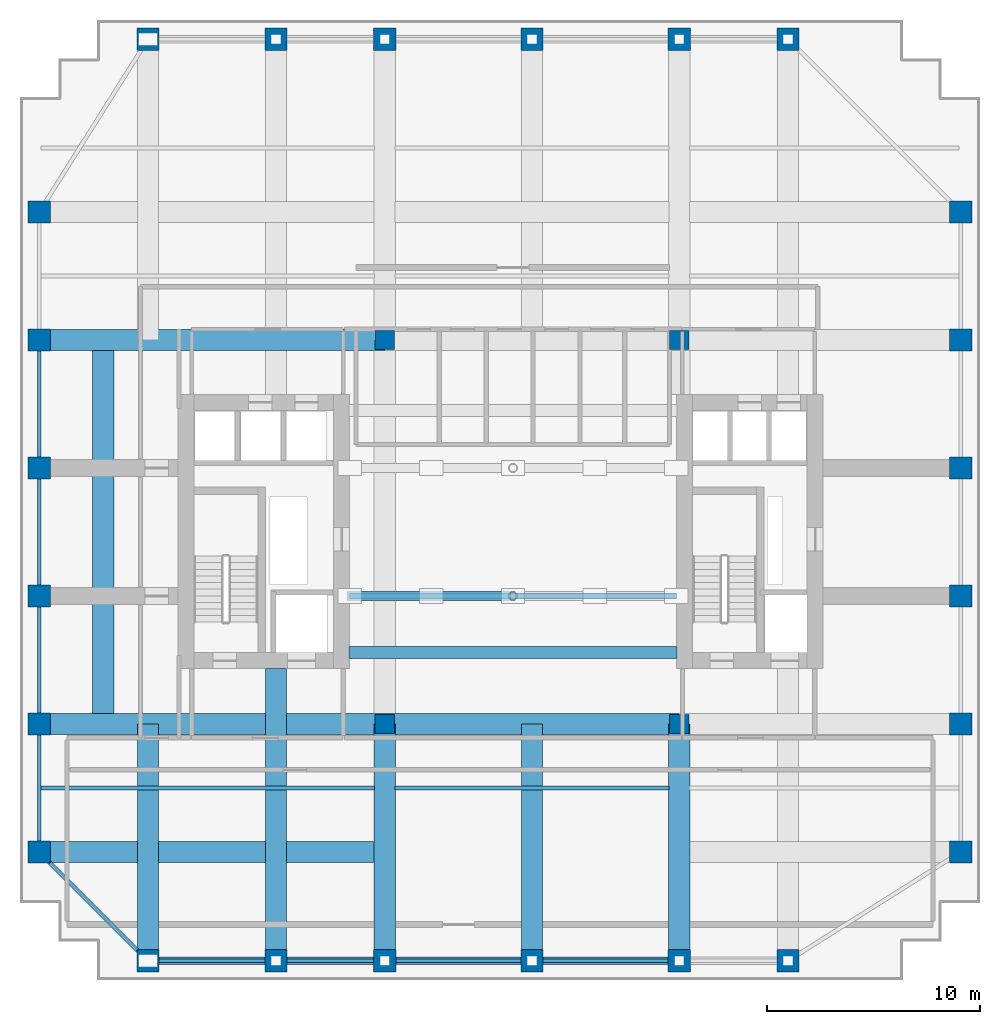
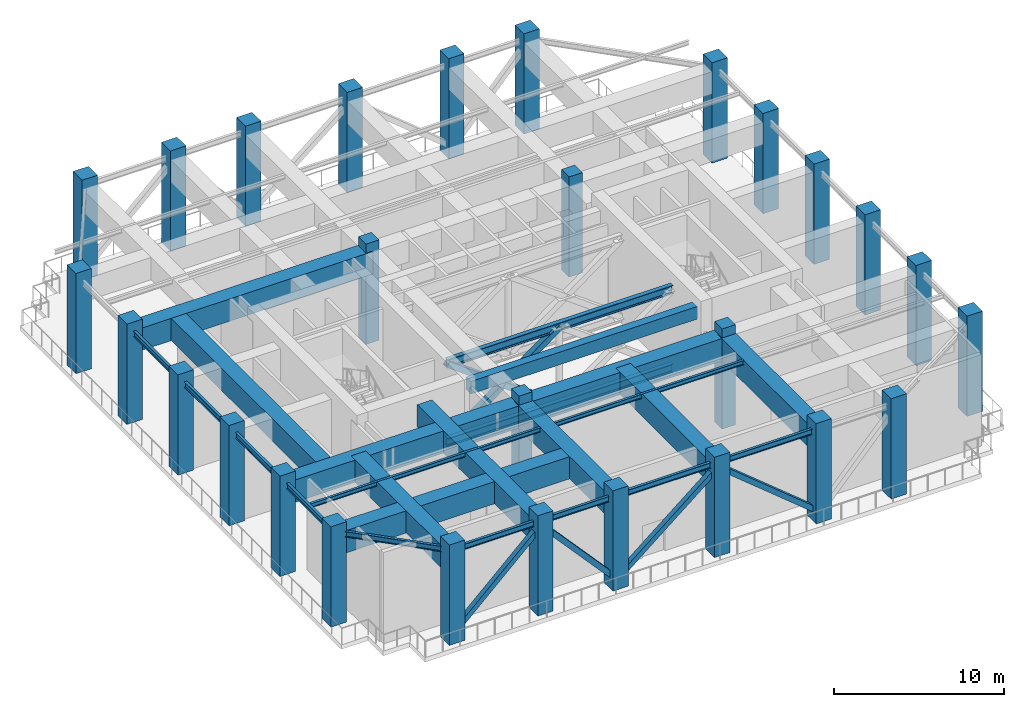
# One storey, part 1 of 10: 28 columns, 22 beams, 9 members.
"""IFC4 building model written with IfcOpenShell, lengths in metres."""

from ifc_helpers import new_model, si_unit, direction, frame, origin, origin_2d, place, context, subcontext, project, spatial, rectangle, hollow_rectangle, i_section, extrude, source, transform, mapped, material, material_profile, profile_set, type_object, element, save


model = new_model("IFC4")

# Units and contexts
model_context = context("Model", 3, precision=1e-05, world=origin(), true_north=direction((0.0, 1.0)))
body_context = subcontext(model_context, "Body", "Model", "MODEL_VIEW")
ifc_project = project(units=[si_unit("LENGTHUNIT", "METRE"), si_unit("AREAUNIT", "SQUARE_METRE"), si_unit("VOLUMEUNIT", "CUBIC_METRE"), si_unit("PLANEANGLEUNIT", "RADIAN"), si_unit("MASSUNIT", "GRAM", prefix="KILO")], contexts=[model_context])

# Site, building, storey
site_placement = place(None, origin())
site = spatial("IfcSite", under=ifc_project, at=site_placement, CompositionType="ELEMENT")
building_placement = place(site_placement, origin())
building = spatial("IfcBuilding", under=site, at=building_placement, Name="Khoralis Quay Care Tower", CompositionType="ELEMENT")
storey_placement = place(building_placement, frame((0.0, 0.0, 148.5)))
storey = spatial("IfcBuildingStorey", under=building, at=storey_placement, Name="L39", CompositionType="ELEMENT", Elevation=148.5)

# Columns
ifc_material_1 = material(Name="Concrete C65/80", Category="concrete")
ifc_material_profile_1 = material_profile(ifc_material_1, rectangle(XDim=1.050048828125, YDim=1.050048828125, at=origin_2d()), Name="Concrete C65/80")
ifc_profile_set_1 = profile_set([ifc_material_profile_1], Name="Concrete C65/80")
column_type_1 = type_object("IfcColumnType", Name="COL-C1050", PredefinedType="COLUMN", material=ifc_profile_set_1)
shared_shape_1 = source(origin(), body_context, "Body", "SweptSolid", [
    extrude(rectangle(XDim=1.050048828125, YDim=1.050048828125, at=origin_2d()), origin(), (0.0, 0.0, 1.0), 7.199951171875),
])
for number, where, z_axis, x_axis, name in (
    (1, (6.0, 0.89990234375, 0.0), (0.0, 0.0, 1.0), (1.0, 0.0, 0.0), "COL-TWR-L39-01"),
    (2, (6.0, 44.10009765625, 0.0), (0.0, 0.0, 1.0), (1.0, 0.0, 0.0), "COL-TWR-L39-02"),
    (3, (12.0, 0.89990234375, 0.0), (0.0, 0.0, 1.0), (1.0, 0.0, 0.0), "COL-TWR-L39-03"),
    (4, (12.0, 44.10009765625, 0.0), (0.0, 0.0, 1.0), (1.0, 0.0, 0.0), "COL-TWR-L39-04"),
    (5, (17.10009765625, 0.89990234375, 0.0), (0.0, 0.0, 1.0), (1.0, 0.0, 0.0), "COL-TWR-L39-05"),
    (6, (17.10009765625, 44.10009765625, 0.0), (0.0, 0.0, 1.0), (1.0, 0.0, 0.0), "COL-TWR-L39-06"),
    (7, (24.0, 0.89990234375, 0.0), (0.0, 0.0, 1.0), (1.0, 0.0, 0.0), "COL-TWR-L39-07"),
    (8, (24.0, 44.10009765625, 0.0), (0.0, 0.0, 1.0), (1.0, 0.0, 0.0), "COL-TWR-L39-08"),
    (9, (30.89990234375, 0.89990234375, 0.0), (0.0, 0.0, 1.0), (1.0, 0.0, 0.0), "COL-TWR-L39-09"),
    (10, (30.89990234375, 44.10009765625, 0.0), (0.0, 0.0, 1.0), (1.0, 0.0, 0.0), "COL-TWR-L39-10"),
    (11, (36.0, 0.89990234375, 0.0), (0.0, 0.0, 1.0), (1.0, 0.0, 0.0), "COL-TWR-L39-11"),
    (12, (36.0, 44.10009765625, 0.0), (0.0, 0.0, 1.0), (1.0, 0.0, 0.0), "COL-TWR-L39-12"),
    (13, (0.89990234375, 6.0, 0.0), (0.0, 0.0, 1.0), (1.0, 0.0, 0.0), "COL-TWR-L39-13"),
    (14, (44.10009765625, 6.0, 0.0), (0.0, 0.0, 1.0), (1.0, 0.0, 0.0), "COL-TWR-L39-14"),
    (15, (0.89990234375, 12.0, 0.0), (0.0, 0.0, 1.0), (1.0, 0.0, 0.0), "COL-TWR-L39-15"),
    (16, (44.10009765625, 12.0, 0.0), (0.0, 0.0, 1.0), (1.0, 0.0, 0.0), "COL-TWR-L39-16"),
    (17, (0.89990234375, 18.0, 0.0), (0.0, 0.0, 1.0), (1.0, 0.0, 0.0), "COL-TWR-L39-17"),
    (18, (44.10009765625, 18.0, 0.0), (0.0, 0.0, 1.0), (1.0, 0.0, 0.0), "COL-TWR-L39-18"),
    (19, (0.89990234375, 24.0, 0.0), (0.0, 0.0, 1.0), (1.0, 0.0, 0.0), "COL-TWR-L39-19"),
    (20, (44.10009765625, 24.0, 0.0), (0.0, 0.0, 1.0), (1.0, 0.0, 0.0), "COL-TWR-L39-20"),
    (21, (0.89990234375, 30.0, 0.0), (0.0, 0.0, 1.0), (1.0, 0.0, 0.0), "COL-TWR-L39-21"),
    (22, (44.10009765625, 30.0, 0.0), (0.0, 0.0, 1.0), (1.0, 0.0, 0.0), "COL-TWR-L39-22"),
    (23, (0.89990234375, 36.0, 0.0), (0.0, 0.0, 1.0), (1.0, 0.0, 0.0), "COL-TWR-L39-23"),
    (24, (44.10009765625, 36.0, 0.0), (0.0, 0.0, 1.0), (1.0, 0.0, 0.0), "COL-TWR-L39-24"),
):
    element("IfcColumn", number, at=place(storey_placement, frame(where, z_axis=z_axis, x_axis=x_axis)), inside=storey, type_object=column_type_1, Name=name, PredefinedType="COLUMN", context=body_context, shape_type="MappedRepresentation", body=[
        mapped(shared_shape_1, transform((0.0, 0.0, 0.0), scale=1.0)),
    ])
ifc_material_profile_2 = material_profile(ifc_material_1, rectangle(XDim=0.89990234375, YDim=0.89990234375, at=origin_2d()), Name="Concrete C65/80")
ifc_profile_set_2 = profile_set([ifc_material_profile_2], Name="Concrete C65/80")
column_type_2 = type_object("IfcColumnType", Name="COL-C900", PredefinedType="COLUMN", material=ifc_profile_set_2)
shared_shape_2 = source(origin(), body_context, "Body", "SweptSolid", [
    extrude(rectangle(XDim=0.89990234375, YDim=0.89990234375, at=origin_2d()), origin(), (0.0, 0.0, 1.0), 7.199951171875),
])
for number, where, z_axis, x_axis, name in (
    (25, (17.10009765625, 12.0, 0.0), (0.0, 0.0, 1.0), (1.0, 0.0, 0.0), "COL-TWR-L39-25"),
    (26, (17.10009765625, 30.0, 0.0), (0.0, 0.0, 1.0), (1.0, 0.0, 0.0), "COL-TWR-L39-26"),
    (27, (30.89990234375, 12.0, 0.0), (0.0, 0.0, 1.0), (1.0, 0.0, 0.0), "COL-TWR-L39-27"),
    (28, (30.89990234375, 30.0, 0.0), (0.0, 0.0, 1.0), (1.0, 0.0, 0.0), "COL-TWR-L39-28"),
):
    element("IfcColumn", number, at=place(storey_placement, frame(where, z_axis=z_axis, x_axis=x_axis)), inside=storey, type_object=column_type_2, Name=name, PredefinedType="COLUMN", context=body_context, shape_type="MappedRepresentation", body=[
        mapped(shared_shape_2, transform((0.0, 0.0, 0.0), scale=1.0)),
    ])

# Beams
ifc_material_profile_3 = material_profile(ifc_material_1, rectangle(XDim=0.550048828125, YDim=0.89990234375, at=origin_2d()), Name="Concrete C65/80")
ifc_profile_set_3 = profile_set([ifc_material_profile_3], Name="Concrete C65/80")
beam_type_1 = type_object("IfcBeamType", Name="CB-RC550X900", PredefinedType="LINTEL", material=ifc_profile_set_3)
shared_shape_3 = source(origin(), body_context, "Body", "SweptSolid", [
    extrude(rectangle(XDim=0.550048828125, YDim=0.89990234375, at=origin_2d()), origin(), (0.0, 0.0, 1.0), 15.380126953125),
])
beam_1_placement = place(storey_placement, frame((15.419921875, 15.35009765625, 6.10009765625), z_axis=(1.0, 0.0, 0.0), x_axis=(0.0, 1.0, 0.0)))
element("IfcBeam", 29, at=beam_1_placement, inside=storey, type_object=beam_type_1, Name="L39 South Core Coupling Lintel", PredefinedType="LINTEL", context=body_context, shape_type="MappedRepresentation", body=[
    mapped(shared_shape_3, transform((0.0, 0.0, 0.0), scale=1.0)),
])
ifc_material_2 = material(Name="Concrete C80/95", Category="concrete")
ifc_material_profile_4 = material_profile(ifc_material_2, rectangle(XDim=1.0, YDim=1.60009765625, at=origin_2d()), Name="Concrete C80/95")
ifc_profile_set_4 = profile_set([ifc_material_profile_4], Name="Concrete C80/95")
beam_type_2 = type_object("IfcBeamType", Name="TG-RC1000X1600", PredefinedType="BEAM", material=ifc_profile_set_4)
shared_shape_4 = source(origin(), body_context, "Body", "SweptSolid", [
    extrude(rectangle(XDim=1.0, YDim=1.60009765625, at=origin_2d()), origin(), (0.0, 0.0, 1.0), 15.712158203125),
])
beam_2_placement = place(storey_placement, frame((0.89990234375, 6.0, 5.75), z_axis=(1.0, 0.0, 0.0), x_axis=(0.0, 1.0, 0.0)))
element("IfcBeam", 30, at=beam_2_placement, inside=storey, type_object=beam_type_2, Name="L39 Transfer girder BM-TGXW-L39-60", PredefinedType="BEAM", context=body_context, shape_type="MappedRepresentation", body=[
    mapped(shared_shape_4, transform((0.0, 0.0, 0.0), scale=1.0)),
])
shared_shape_5 = source(origin(), body_context, "Body", "SweptSolid", [
    extrude(rectangle(XDim=1.0, YDim=1.60009765625, at=origin_2d()), origin(), (0.0, 0.0, 1.0), 16.2001953125),
])
for number, where, z_axis, x_axis, name in (
    (31, (0.89990234375, 12.0, 5.75), (1.0, 0.0, 0.0), (0.0, 1.0, 0.0), "L39 Transfer girder BM-TGXW-L39-120"),
    (32, (0.89990234375, 30.0, 5.75), (1.0, 0.0, 0.0), (0.0, 1.0, 0.0), "L39 Transfer girder BM-TGXW-L39-300"),
):
    element("IfcBeam", number, at=place(storey_placement, frame(where, z_axis=z_axis, x_axis=x_axis)), inside=storey, type_object=beam_type_2, Name=name, PredefinedType="BEAM", context=body_context, shape_type="MappedRepresentation", body=[
        mapped(shared_shape_5, transform((0.0, 0.0, 0.0), scale=1.0)),
    ])
shared_shape_6 = source(origin(), body_context, "Body", "SweptSolid", [
    extrude(rectangle(XDim=1.0, YDim=1.60009765625, at=origin_2d()), origin(), (0.0, 0.0, 1.0), 13.7998046875),
])
beam_3_placement = place(storey_placement, frame((17.10009765625, 12.0, 5.75), z_axis=(1.0, 0.0, 0.0), x_axis=(0.0, 1.0, 0.0)))
element("IfcBeam", 33, at=beam_3_placement, inside=storey, type_object=beam_type_2, Name="L39 Transfer girder BM-TGCC-L39-120", PredefinedType="BEAM", context=body_context, shape_type="MappedRepresentation", body=[
    mapped(shared_shape_6, transform((0.0, 0.0, 0.0), scale=1.0)),
])
shared_shape_7 = source(origin(), body_context, "Body", "SweptSolid", [
    extrude(rectangle(XDim=1.0, YDim=1.60009765625, at=origin_2d()), origin(), (0.0, 0.0, 1.0), 11.10009765625),
])
for number, where, z_axis, x_axis, name in (
    (34, (6.0, 0.89990234375, 5.75), (0.0, 1.0, 0.0), (-1.0, 0.0, 0.0), "L39 Transfer girder BM-TGYS-L39-60"),
    (35, (17.10009765625, 0.89990234375, 5.75), (0.0, 1.0, 0.0), (-1.0, 0.0, 0.0), "L39 Transfer girder BM-TGYS-L39-171"),
    (36, (24.0, 0.89990234375, 5.75), (0.0, 1.0, 0.0), (-1.0, 0.0, 0.0), "L39 Transfer girder BM-TGYS-L39-240"),
    (37, (30.89990234375, 0.89990234375, 5.75), (0.0, 1.0, 0.0), (-1.0, 0.0, 0.0), "L39 Transfer girder BM-TGYS-L39-309"),
):
    element("IfcBeam", number, at=place(storey_placement, frame(where, z_axis=z_axis, x_axis=x_axis)), inside=storey, type_object=beam_type_2, Name=name, PredefinedType="BEAM", context=body_context, shape_type="MappedRepresentation", body=[
        mapped(shared_shape_7, transform((0.0, 0.0, 0.0), scale=1.0)),
    ])
shared_shape_8 = source(origin(), body_context, "Body", "SweptSolid", [
    extrude(rectangle(XDim=1.0, YDim=1.60009765625, at=origin_2d()), origin(), (0.0, 0.0, 1.0), 18.0),
])
beam_4_placement = place(storey_placement, frame((3.89990234375, 12.0, 5.75), z_axis=(0.0, 1.0, 0.0), x_axis=(-1.0, 0.0, 0.0)))
element("IfcBeam", 38, at=beam_4_placement, inside=storey, type_object=beam_type_2, Name="L39 Setback Perimeter Transfer Girder", PredefinedType="BEAM", context=body_context, shape_type="MappedRepresentation", body=[
    mapped(shared_shape_8, transform((0.0, 0.0, 0.0), scale=1.0)),
])
ifc_material_3 = material(Name="Steel S355", Category="steel")
ifc_material_profile_5 = material_profile(ifc_material_3, i_section(OverallWidth=0.179931640625, OverallDepth=0.39990234375, WebThickness=0.008544921875, FlangeThickness=0.013427734375, FilletRadius=0.02099609375, at=origin_2d()), Name="Steel S355")
ifc_profile_set_5 = profile_set([ifc_material_profile_5], Name="Steel S355")
beam_type_3 = type_object("IfcBeamType", Name="BM-IPE400", PredefinedType="SPANDREL", material=ifc_profile_set_5)
shared_shape_9 = source(origin(), body_context, "Body", "SweptSolid", [
    extrude(i_section(OverallWidth=0.179931640625, OverallDepth=0.39990234375, WebThickness=0.008544921875, FlangeThickness=0.013427734375, FilletRadius=0.02099609375, at=origin_2d()), origin(), (0.0, 0.0, 1.0), 6.0),
])
for number, where, z_axis, x_axis, name in (
    (39, (6.0, 0.89990234375, 6.35009765625), (1.0, 0.0, 0.0), (0.0, 1.0, 0.0), "BM-TSP-L39-01"),
    (40, (0.89990234375, 6.0, 6.35009765625), (0.0, 1.0, 0.0), (-1.0, 0.0, 0.0), "BM-TSP-L39-11"),
    (41, (0.89990234375, 12.0, 6.35009765625), (0.0, 1.0, 0.0), (-1.0, 0.0, 0.0), "BM-TSP-L39-12"),
    (42, (0.89990234375, 18.0, 6.35009765625), (0.0, 1.0, 0.0), (-1.0, 0.0, 0.0), "BM-TSP-L39-13"),
    (43, (0.89990234375, 24.0, 6.35009765625), (0.0, 1.0, 0.0), (-1.0, 0.0, 0.0), "BM-TSP-L39-14"),
):
    element("IfcBeam", number, at=place(storey_placement, frame(where, z_axis=z_axis, x_axis=x_axis)), inside=storey, type_object=beam_type_3, Name=name, PredefinedType="SPANDREL", context=body_context, shape_type="MappedRepresentation", body=[
        mapped(shared_shape_9, transform((0.0, 0.0, 0.0), scale=1.0)),
    ])
shared_shape_10 = source(origin(), body_context, "Body", "SweptSolid", [
    extrude(i_section(OverallWidth=0.179931640625, OverallDepth=0.39990234375, WebThickness=0.008544921875, FlangeThickness=0.013427734375, FilletRadius=0.02099609375, at=origin_2d()), origin(), (0.0, 0.0, 1.0), 5.10009765625),
])
beam_5_placement = place(storey_placement, frame((12.0, 0.89990234375, 6.35009765625), z_axis=(1.0, 0.0, 0.0), x_axis=(0.0, 1.0, 0.0)))
element("IfcBeam", 44, at=beam_5_placement, inside=storey, type_object=beam_type_3, Name="BM-TSP-L39-02", PredefinedType="SPANDREL", context=body_context, shape_type="MappedRepresentation", body=[
    mapped(shared_shape_10, transform((0.0, 0.0, 0.0), scale=1.0)),
])
shared_shape_11 = source(origin(), body_context, "Body", "SweptSolid", [
    extrude(i_section(OverallWidth=0.179931640625, OverallDepth=0.39990234375, WebThickness=0.008544921875, FlangeThickness=0.013427734375, FilletRadius=0.02099609375, at=origin_2d()), origin(), (0.0, 0.0, 1.0), 6.89990234375),
])
for number, where, z_axis, x_axis, name in (
    (45, (17.10009765625, 0.89990234375, 6.35009765625), (1.0, 0.0, 0.0), (0.0, 1.0, 0.0), "BM-TSP-L39-03"),
    (46, (24.0, 0.89990234375, 6.35009765625), (1.0, 0.0, 0.0), (0.0, 1.0, 0.0), "BM-TSP-L39-04"),
):
    element("IfcBeam", number, at=place(storey_placement, frame(where, z_axis=z_axis, x_axis=x_axis)), inside=storey, type_object=beam_type_3, Name=name, PredefinedType="SPANDREL", context=body_context, shape_type="MappedRepresentation", body=[
        mapped(shared_shape_11, transform((0.0, 0.0, 0.0), scale=1.0)),
    ])
shared_shape_12 = source(origin(), body_context, "Body", "SweptSolid", [
    extrude(i_section(OverallWidth=0.179931640625, OverallDepth=0.39990234375, WebThickness=0.008544921875, FlangeThickness=0.013427734375, FilletRadius=0.02099609375, at=origin_2d()), origin(), (0.0, 0.0, 1.0), 7.212646484375),
])
beam_6_placement = place(storey_placement, frame((6.0, 0.89990234375, 6.35009765625), z_axis=(-0.707106781187, 0.707106781187, 0.0), x_axis=(-0.707106781187, -0.707106781187, 0.0)))
element("IfcBeam", 47, at=beam_6_placement, inside=storey, type_object=beam_type_3, Name="BM-TCR-L39-21", PredefinedType="SPANDREL", context=body_context, shape_type="MappedRepresentation", body=[
    mapped(shared_shape_12, transform((0.0, 0.0, 0.0), scale=1.0)),
])
shared_shape_13 = source(origin(), body_context, "Body", "SweptSolid", [
    extrude(rectangle(XDim=1.0, YDim=1.60009765625, at=origin_2d()), origin(), (0.0, 0.0, 1.0), 13.7021484375),
])
beam_7_placement = place(storey_placement, frame((12.0, 0.89990234375, 5.75), z_axis=(0.0, 1.0, 0.0), x_axis=(-1.0, 0.0, 0.0)))
element("IfcBeam", 48, at=beam_7_placement, inside=storey, type_object=beam_type_2, Name="L39 Transfer girder BM-TGYS-L39-120", PredefinedType="BEAM", context=body_context, shape_type="MappedRepresentation", body=[
    mapped(shared_shape_13, transform((0.0, 0.0, 0.0), scale=1.0)),
])
ifc_material_profile_6 = material_profile(ifc_material_3, i_section(OverallWidth=0.1650390625, OverallDepth=0.31005859375, WebThickness=0.005859375, FlangeThickness=0.009765625, FilletRadius=0.011962890625, at=origin_2d()), Name="Steel S355")
ifc_profile_set_6 = profile_set([ifc_material_profile_6], Name="Steel S355")
beam_type_4 = type_object("IfcBeamType", Name="BM-W310X39", PredefinedType="JOIST", material=ifc_profile_set_6)
shared_shape_14 = source(origin(), body_context, "Body", "SweptSolid", [
    extrude(i_section(OverallWidth=0.1650390625, OverallDepth=0.31005859375, WebThickness=0.005859375, FlangeThickness=0.009765625, FilletRadius=0.011962890625, at=origin_2d()), origin(), (0.0, 0.0, 1.0), 15.635986328125),
])
beam_8_placement = place(storey_placement, frame((0.97607421875, 9.0, 6.39501953125), z_axis=(1.0, 0.0, 0.0), x_axis=(0.0, 1.0, 0.0)))
element("IfcBeam", 49, at=beam_8_placement, inside=storey, type_object=beam_type_4, Name="BM-TJS-L39-25", PredefinedType="JOIST", context=body_context, shape_type="MappedRepresentation", body=[
    mapped(shared_shape_14, transform((0.0, 0.0, 0.0), scale=1.0)),
])
shared_shape_15 = source(origin(), body_context, "Body", "SweptSolid", [
    extrude(i_section(OverallWidth=0.1650390625, OverallDepth=0.31005859375, WebThickness=0.005859375, FlangeThickness=0.009765625, FilletRadius=0.011962890625, at=origin_2d()), origin(), (0.0, 0.0, 1.0), 12.82421875),
])
beam_9_placement = place(storey_placement, frame((17.587890625, 9.0, 6.39501953125), z_axis=(1.0, 0.0, 0.0), x_axis=(0.0, 1.0, 0.0)))
element("IfcBeam", 50, at=beam_9_placement, inside=storey, type_object=beam_type_4, Name="BM-TJS-L39-27", PredefinedType="JOIST", context=body_context, shape_type="MappedRepresentation", body=[
    mapped(shared_shape_15, transform((0.0, 0.0, 0.0), scale=1.0)),
])

# Members
ifc_material_profile_7 = material_profile(ifc_material_3, hollow_rectangle(XDim=0.35009765625, YDim=0.35009765625, WallThickness=0.01611328125, at=origin_2d()), Name="Steel S355")
ifc_profile_set_7 = profile_set([ifc_material_profile_7], Name="Steel S355")
member_type_1 = type_object("IfcMemberType", Name="BR-RHS350X350X16", PredefinedType="BRACE", material=ifc_profile_set_7)
shared_shape_16 = source(origin(), body_context, "Body", "SweptSolid", [
    extrude(hollow_rectangle(XDim=0.35009765625, YDim=0.35009765625, WallThickness=0.01611328125, at=origin_2d()), origin(), (0.0, 0.0, 1.0), 8.24169921875),
])
member_1_placement = place(storey_placement, frame((6.0, 0.89990234375, 0.449951171875), z_axis=(0.728012987869, 0.0, 0.685563337332), x_axis=(0.0, 1.0, 0.0)))
element("IfcMember", 51, at=member_1_placement, inside=storey, type_object=member_type_1, Name="L39 Belt truss diagonal 1", PredefinedType="BRACE", context=body_context, shape_type="MappedRepresentation", body=[
    mapped(shared_shape_16, transform((0.0, 0.0, 0.0), scale=1.0)),
])
shared_shape_17 = source(origin(), body_context, "Body", "SweptSolid", [
    extrude(hollow_rectangle(XDim=0.35009765625, YDim=0.35009765625, WallThickness=0.01611328125, at=origin_2d()), origin(), (0.0, 0.0, 1.0), 7.611572265625),
])
member_2_placement = place(storey_placement, frame((12.0, 0.89990234375, 6.10009765625), z_axis=(0.670050319951, 0.0, -0.742315679973), x_axis=(0.0, 1.0, 0.0)))
element("IfcMember", 52, at=member_2_placement, inside=storey, type_object=member_type_1, Name="L39 Belt truss diagonal 2", PredefinedType="BRACE", context=body_context, shape_type="MappedRepresentation", body=[
    mapped(shared_shape_17, transform((0.0, 0.0, 0.0), scale=1.0)),
])
shared_shape_18 = source(origin(), body_context, "Body", "SweptSolid", [
    extrude(hollow_rectangle(XDim=0.35009765625, YDim=0.35009765625, WallThickness=0.01611328125, at=origin_2d()), origin(), (0.0, 0.0, 1.0), 8.918212890625),
])
for number, where, z_axis, x_axis, name in (
    (53, (17.10009765625, 0.89990234375, 0.449951171875), (0.773694994311, 0.0, 0.633558249712), (0.0, 1.0, 0.0), "L39 Belt truss diagonal 3"),
    (54, (24.0, 0.89990234375, 6.10009765625), (0.773694994311, 0.0, -0.633558249712), (0.0, 1.0, 0.0), "L39 Belt truss diagonal 4"),
):
    element("IfcMember", number, at=place(storey_placement, frame(where, z_axis=z_axis, x_axis=x_axis)), inside=storey, type_object=member_type_1, Name=name, PredefinedType="BRACE", context=body_context, shape_type="MappedRepresentation", body=[
        mapped(shared_shape_18, transform((0.0, 0.0, 0.0), scale=1.0)),
    ])
ifc_material_profile_8 = material_profile(ifc_material_3, i_section(OverallWidth=0.300048828125, OverallDepth=0.60009765625, WebThickness=0.015380859375, FlangeThickness=0.030029296875, FilletRadius=0.027099609375, at=origin_2d()), Name="Steel S355")
ifc_profile_set_8 = profile_set([ifc_material_profile_8], Name="Steel S355")
member_type_2 = type_object("IfcMemberType", Name="CH-HEB600", PredefinedType="CHORD", material=ifc_profile_set_8)
shared_shape_19 = source(origin(), body_context, "Body", "SweptSolid", [
    extrude(i_section(OverallWidth=0.300048828125, OverallDepth=0.60009765625, WebThickness=0.015380859375, FlangeThickness=0.030029296875, FilletRadius=0.027099609375, at=origin_2d()), origin(), (0.0, 0.0, 1.0), 15.320068359375),
])
for number, where, z_axis, x_axis, name in (
    (55, (15.449951171875, 18.0, 0.449951171875), (1.0, 0.0, 0.0), (0.0, 1.0, 0.0), "MBR-L39-CHB-18"),
    (56, (15.449951171875, 18.0, 6.10009765625), (1.0, 0.0, 0.0), (0.0, 1.0, 0.0), "MBR-L39-CHT-18"),
):
    element("IfcMember", number, at=place(storey_placement, frame(where, z_axis=z_axis, x_axis=x_axis)), inside=storey, type_object=member_type_2, Name=name, PredefinedType="CHORD", context=body_context, shape_type="MappedRepresentation", body=[
        mapped(shared_shape_19, transform((0.0, 0.0, 0.0), scale=1.0)),
    ])
ifc_material_4 = material(Name="Steel S460", Category="steel")
ifc_material_profile_9 = material_profile(ifc_material_4, hollow_rectangle(XDim=0.39990234375, YDim=0.39990234375, WallThickness=0.02001953125, at=origin_2d()), Name="Steel S460")
ifc_profile_set_9 = profile_set([ifc_material_profile_9], Name="Steel S460")
member_type_3 = type_object("IfcMemberType", Name="BR-RHS400X400X20", PredefinedType="BRACE", material=ifc_profile_set_9)
shared_shape_20 = source(origin(), body_context, "Body", "SweptSolid", [
    extrude(hollow_rectangle(XDim=0.39990234375, YDim=0.39990234375, WallThickness=0.02001953125, at=origin_2d()), origin(), (0.0, 0.0, 1.0), 9.5185546875),
])
member_3_placement = place(storey_placement, frame((15.449951171875, 18.0, 0.449951171875), z_axis=(0.804763700125, 0.0, 0.593595305711), x_axis=(0.0, 1.0, 0.0)))
element("IfcMember", 57, at=member_3_placement, inside=storey, type_object=member_type_3, Name="L39 Outrigger Truss Continuous Diagonal 1", PredefinedType="BRACE", context=body_context, shape_type="MappedRepresentation", body=[
    mapped(shared_shape_20, transform((0.0, 0.0, 0.0), scale=1.0)),
])
shared_shape_21 = source(origin(), body_context, "Body", "SweptSolid", [
    extrude(hollow_rectangle(XDim=0.39990234375, YDim=0.39990234375, WallThickness=0.02001953125, at=origin_2d()), origin(), (0.0, 0.0, 1.0), 4.749267578125),
])
for number, where, z_axis, x_axis, name in (
    (58, (15.449951171875, 18.0, 6.10009765625), (0.804767607978, 0.0, -0.593590007622), (0.0, 1.0, 0.0), "L39 Outrigger Split Diagonal 2A"),
    (59, (19.2880859375, 18.0, 3.26904296875), (0.804767607978, 0.0, -0.593590007622), (0.0, 1.0, 0.0), "L39 Outrigger Split Diagonal 2B"),
):
    element("IfcMember", number, at=place(storey_placement, frame(where, z_axis=z_axis, x_axis=x_axis)), inside=storey, type_object=member_type_3, Name=name, PredefinedType="BRACE", context=body_context, shape_type="MappedRepresentation", body=[
        mapped(shared_shape_21, transform((0.0, 0.0, 0.0), scale=1.0)),
    ])

save(model, "model.ifc")
